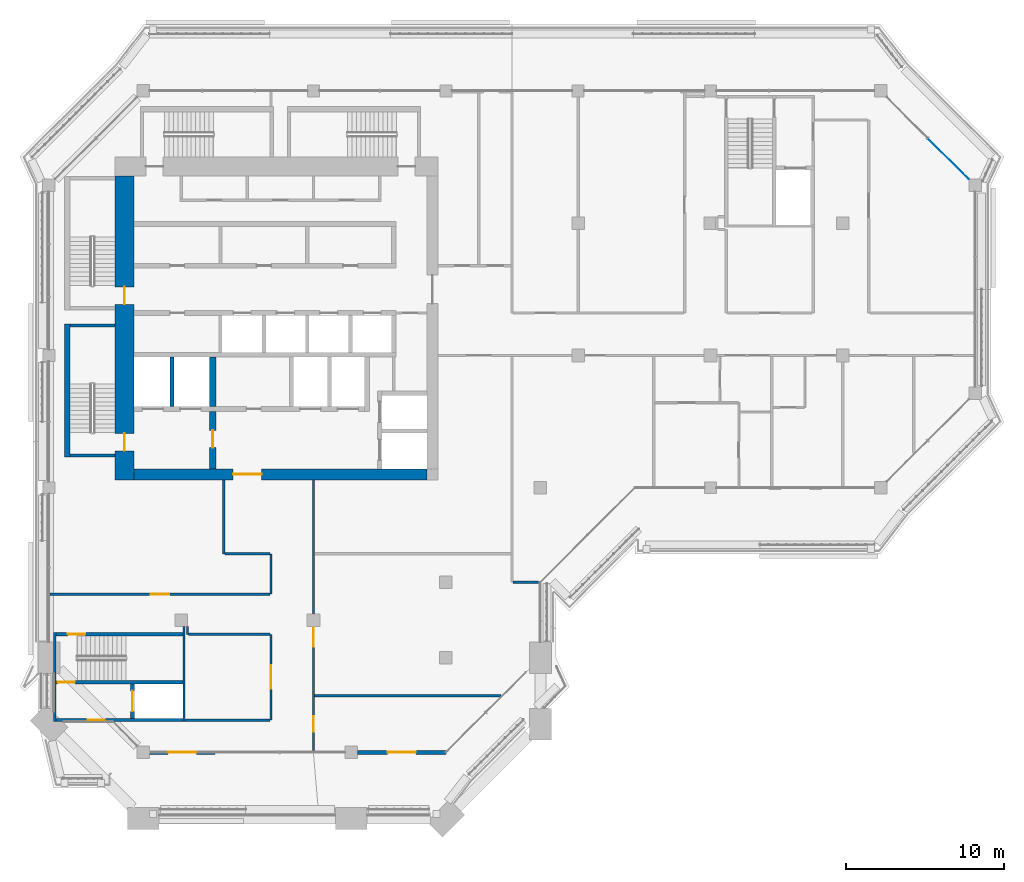
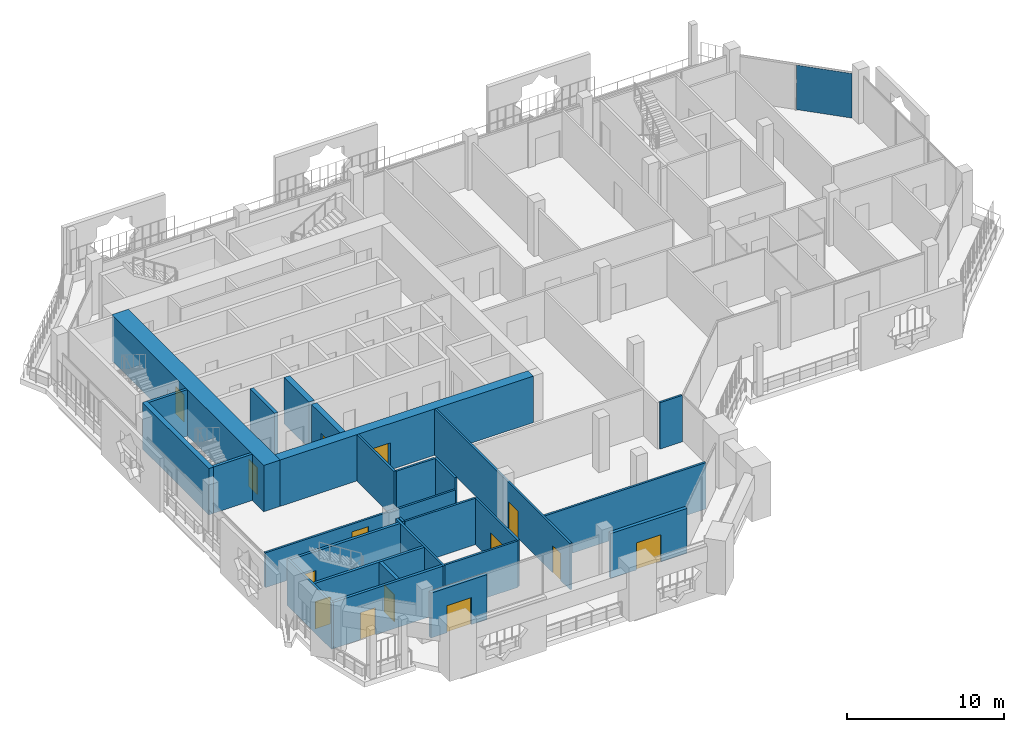
# One storey, part 10 of 22: 27 walls, 14 doors, 1 plate, 14 openings, 1 element without a shape of its own.
"""IFC4 building model written with IfcOpenShell, lengths in metres."""

from ifc_helpers import new_model, si_unit, direction, frame, frame_2d, origin, origin_2d, place, context, subcontext, project, spatial, rectangle, extrude, material, layer, layer_set, type_object, element, fill, aggregate, save


model = new_model("IFC4")

# Units and contexts
model_context = context("Model", 3, precision=1e-05, world=origin(), true_north=direction((0.0, 1.0)))
body_context = subcontext(model_context, "Body", "Model", "MODEL_VIEW")
ifc_project = project(units=[si_unit("LENGTHUNIT", "METRE"), si_unit("AREAUNIT", "SQUARE_METRE"), si_unit("VOLUMEUNIT", "CUBIC_METRE"), si_unit("PLANEANGLEUNIT", "RADIAN"), si_unit("MASSUNIT", "GRAM", prefix="KILO")], contexts=[model_context])

# Site, building, storey
site_placement = place(None, origin())
site = spatial("IfcSite", under=ifc_project, at=site_placement, CompositionType="ELEMENT")
building_placement = place(site_placement, origin())
building = spatial("IfcBuilding", under=site, at=building_placement, Name="Kawkab Arch Medical Tower", CompositionType="ELEMENT")
storey_placement = place(building_placement, frame((0.0, 0.0, 294.39990234375)))
storey = spatial("IfcBuildingStorey", under=building, at=storey_placement, Name="L68", CompositionType="ELEMENT", Elevation=294.39990234375)

# Curtain wall, plate
ifc_material_1 = material(Name="Bronze anodised aluminium curtain wall frame", Category="aluminium")
ifc_layer_1 = layer(ifc_material_1, 0.159912109375)
ifc_layer_set_1 = layer_set([ifc_layer_1], Name="Bronze anodised aluminium curtain wall frame")
curtain_wall_type = type_object("IfcCurtainWallType", Name="CW2 chamfer curtain wall", PredefinedType="NOTDEFINED", material=ifc_layer_set_1)
curtain_wall_placement = place(storey_placement, origin())
curtain_wall = element("IfcCurtainWall", 1, at=curtain_wall_placement, inside=storey, type_object=curtain_wall_type, Name="CW2 Chamfer curtain wall R14", PredefinedType="NOTDEFINED")
ifc_material_2 = material(Name="Tinted insulating glass, bronze low-e coating", Category="glass")
ifc_layer_2 = layer(ifc_material_2, 0.031982421875)
ifc_layer_set_2 = layer_set([ifc_layer_2], Name="Tinted insulating glass, bronze low-e coating")
plate_type = type_object("IfcPlateType", Name="CW2 glazing unit 32", PredefinedType="CURTAIN_PANEL", material=ifc_layer_set_2)
plate_placement = place(storey_placement, frame((57.110595703125, -4.310546875, 0.0), z_axis=(0.0, 0.0, 1.0), x_axis=(-0.707106781187, 0.707106781187, 0.0)))
plate = element("IfcPlate", 2, at=plate_placement, type_object=plate_type, Name="CW2 glazing unit 1.1", PredefinedType="CURTAIN_PANEL", context=body_context, shape_type="SweptSolid", body=[
    extrude(rectangle(XDim=3.64697265625, YDim=0.031982421875, at=origin_2d()), origin(), (0.0, 0.0, 1.0), 3.4599609375),
])
aggregate(curtain_wall, [plate])

# Wall, openings, doors
ifc_material_3 = material(Name="Concrete C50/60", Category="concrete")
ifc_layer_3 = layer(ifc_material_3, 1.199951171875)
ifc_layer_set_3 = layer_set([ifc_layer_3], Name="Concrete C50/60")
wall_type_1 = type_object("IfcWallType", Name="Core ring wall 1200 C50/60", PredefinedType="SHEAR", material=ifc_layer_set_3)
wall_1_placement = place(storey_placement, frame((4.800048828125, -24.699951171875, 0.0), z_axis=(0.0, 0.0, 1.0), x_axis=(0.0, 1.0, 0.0)))
wall_1 = element("IfcWall", 3, at=wall_1_placement, inside=storey, type_object=wall_type_1, Name="L68 core wall", PredefinedType="SHEAR", context=body_context, shape_type="SweptSolid", body=[
    extrude(rectangle(XDim=19.300048828125, YDim=1.199951171875, at=frame_2d((9.64990234375, 0.0))), origin(), (0.0, 0.0, 1.0), 3.60009765625),
])
opening_1_placement = place(wall_1_placement, frame((11.14990234375, 0.0, 0.0)))
opening_1 = element("IfcOpeningElement", 4, at=opening_1_placement, cuts=wall_1, Name="Opening SD", PredefinedType="OPENING", context=body_context, shape_type="SweptSolid", body=[
    extrude(rectangle(XDim=1.10009765625, YDim=2.10009765625, at=frame_2d((0.550048828125, 1.050048828125))), frame((0.0, 0.60986328125, 0.0), z_axis=(0.0, -1.0, 0.0), x_axis=(1.0, 0.0, 0.0)), (0.0, 0.0, 1.0), 1.219970703125),
])
opening_2_placement = place(wall_1_placement, frame((1.85009765625, 0.0, 0.0)))
opening_2 = element("IfcOpeningElement", 5, at=opening_2_placement, cuts=wall_1, Name="Opening SD", PredefinedType="OPENING", context=body_context, shape_type="SweptSolid", body=[
    extrude(rectangle(XDim=1.10009765625, YDim=2.10009765625, at=frame_2d((0.550048828125, 1.050048828125))), frame((0.0, 0.60986328125, 0.0), z_axis=(0.0, -1.0, 0.0), x_axis=(1.0, 0.0, 0.0)), (0.0, 0.0, 1.0), 1.219970703125),
])
ifc_material_4 = material(Name="Hollow metal fire door leaf")
door_type_1 = type_object("IfcDoorType", Name="Exit stair door 1100", OperationType="SINGLE_SWING_LEFT", PredefinedType="DOOR", material=ifc_material_4)
door_1_placement = place(opening_1_placement, origin())
door_1 = element("IfcDoor", 6, at=door_1_placement, inside=storey, type_object=door_type_1, Name="L68 Exit stair ST1 door", OperationType="SINGLE_SWING_LEFT", OverallHeight=2.10009765625, OverallWidth=1.10009765625, PredefinedType="DOOR", context=body_context, shape_type="SweptSolid", body=[
    extrude(rectangle(XDim=1.10009765625, YDim=2.10009765625, at=frame_2d((0.550048828125, 1.050048828125))), frame((0.0, 0.02490234375, 0.0), z_axis=(0.0, -1.0, 0.0), x_axis=(1.0, 0.0, 0.0)), (0.0, 0.0, 1.0), 0.050048828125),
])
fill(opening_1, door_1)
door_2_placement = place(opening_2_placement, origin())
door_2 = element("IfcDoor", 7, at=door_2_placement, inside=storey, type_object=door_type_1, Name="L68 Exit stair ST2 door", OperationType="SINGLE_SWING_LEFT", OverallHeight=2.10009765625, OverallWidth=1.10009765625, PredefinedType="DOOR", context=body_context, shape_type="SweptSolid", body=[
    extrude(rectangle(XDim=1.10009765625, YDim=2.10009765625, at=frame_2d((0.550048828125, 1.050048828125))), frame((0.0, 0.02490234375, 0.0), z_axis=(0.0, -1.0, 0.0), x_axis=(1.0, 0.0, 0.0)), (0.0, 0.0, 1.0), 0.050048828125),
])
fill(opening_2, door_2)

# Wall, opening, door
ifc_material_5 = material(Name="Concrete C50/60", Category="concrete")
ifc_layer_4 = layer(ifc_material_5, 0.699951171875)
ifc_layer_set_4 = layer_set([ifc_layer_4], Name="Concrete C50/60")
wall_type_2 = type_object("IfcWallType", Name="Core ring wall 700 C50/60", PredefinedType="SHEAR", material=ifc_layer_set_4)
wall_2_placement = place(storey_placement, frame((5.39990234375, -24.35009765625, 0.0), z_axis=(0.0, 0.0, 1.0), x_axis=(1.0, 0.0, 0.0)))
wall_2 = element("IfcWall", 8, at=wall_2_placement, inside=storey, type_object=wall_type_2, Name="L68 core wall", PredefinedType="SHEAR", context=body_context, shape_type="SweptSolid", body=[
    extrude(rectangle(XDim=18.60009765625, YDim=0.699951171875, at=frame_2d((9.300048828125, 0.0))), origin(), (0.0, 0.0, 1.0), 3.60009765625),
])
opening_3_placement = place(wall_2_placement, frame((6.300048828125, 0.0, 0.0)))
opening_3 = element("IfcOpeningElement", 9, at=opening_3_placement, cuts=wall_2, Name="Opening PD", PredefinedType="OPENING", context=body_context, shape_type="SweptSolid", body=[
    extrude(rectangle(XDim=1.800048828125, YDim=2.10009765625, at=frame_2d((0.89990234375, 1.050048828125))), frame((0.0, 0.35986328125, 0.0), z_axis=(0.0, -1.0, 0.0), x_axis=(1.0, 0.0, 0.0)), (0.0, 0.0, 1.0), 0.719970703125),
])
ifc_material_6 = material(Name="Hollow metal fire door leaf")
door_type_2 = type_object("IfcDoorType", Name="Core entrance doors 1800", OperationType="DOUBLE_DOOR_SINGLE_SWING", PredefinedType="DOOR", material=ifc_material_6)
door_3_placement = place(opening_3_placement, origin())
door_3 = element("IfcDoor", 10, at=door_3_placement, inside=storey, type_object=door_type_2, Name="L68 South entrance doors", OperationType="DOUBLE_DOOR_SINGLE_SWING", OverallHeight=2.10009765625, OverallWidth=1.800048828125, PredefinedType="DOOR", context=body_context, shape_type="SweptSolid", body=[
    extrude(rectangle(XDim=1.800048828125, YDim=2.10009765625, at=frame_2d((0.89990234375, 1.050048828125))), frame((0.0, 0.02490234375, 0.0), z_axis=(0.0, -1.0, 0.0), x_axis=(1.0, 0.0, 0.0)), (0.0, 0.0, 1.0), 0.050048828125),
])
fill(opening_3, door_3)

# Wall
ifc_material_7 = material(Name="Concrete C60/75", Category="concrete")
ifc_layer_5 = layer(ifc_material_7, 0.25)
ifc_layer_set_5 = layer_set([ifc_layer_5], Name="Concrete C60/75")
wall_type_3 = type_object("IfcWallType", Name="Core shear wall 250 C60/75", PredefinedType="SHEAR", material=ifc_layer_set_5)
wall_3_placement = place(storey_placement, frame((7.800048828125, -20.050048828125, 0.0), z_axis=(0.0, 0.0, 1.0), x_axis=(0.0, 1.0, 0.0)))
element("IfcWall", 11, at=wall_3_placement, inside=storey, type_object=wall_type_3, Name="L68 core shear wall", PredefinedType="SHEAR", context=body_context, shape_type="SweptSolid", body=[
    extrude(rectangle(XDim=3.150146484375, YDim=0.25, at=frame_2d((1.5751953125, 0.0))), origin(), (0.0, 0.0, 1.0), 3.60009765625),
])

# Wall, opening, door
wall_4_placement = place(storey_placement, frame((5.300048828125, -39.85009765625, 0.0), z_axis=(0.0, 0.0, 1.0), x_axis=(0.0, 1.0, 0.0)))
wall_4 = element("IfcWall", 12, at=wall_4_placement, inside=storey, type_object=wall_type_3, Name="L68 core shear wall", PredefinedType="SHEAR", context=body_context, shape_type="SweptSolid", body=[
    extrude(rectangle(XDim=2.2001953125, YDim=0.25, at=frame_2d((1.10009765625, 0.0))), origin(), (0.0, 0.0, 1.0), 3.60009765625),
])
opening_4_placement = place(wall_4_placement, frame((0.449951171875, 0.0, 0.0)))
opening_4 = element("IfcOpeningElement", 13, at=opening_4_placement, cuts=wall_4, Name="Opening LD2", PredefinedType="OPENING", context=body_context, shape_type="SweptSolid", body=[
    extrude(rectangle(XDim=1.300048828125, YDim=2.10009765625, at=frame_2d((0.64990234375, 1.050048828125))), frame((0.0, 0.135009765625, 0.0), z_axis=(0.0, -1.0, 0.0), x_axis=(1.0, 0.0, 0.0)), (0.0, 0.0, 1.0), 0.27001953125),
])
ifc_material_8 = material(Name="Stainless steel lift door leaf", Category="steel")
door_type_3 = type_object("IfcDoorType", Name="Lift landing door 1300", OperationType="DOUBLE_DOOR_SLIDING", PredefinedType="DOOR", material=ifc_material_8)
door_4_placement = place(opening_4_placement, origin())
door_4 = element("IfcDoor", 14, at=door_4_placement, inside=storey, type_object=door_type_3, Name="L68 Lift landing door SV2", OperationType="DOUBLE_DOOR_SLIDING", OverallHeight=2.10009765625, OverallWidth=1.300048828125, PredefinedType="DOOR", context=body_context, shape_type="SweptSolid", body=[
    extrude(rectangle(XDim=1.300048828125, YDim=2.10009765625, at=frame_2d((0.64990234375, 1.050048828125))), frame((0.0, 0.02490234375, 0.0), z_axis=(0.0, -1.0, 0.0), x_axis=(1.0, 0.0, 0.0)), (0.0, 0.0, 1.0), 0.050048828125),
])
fill(opening_4, door_4)

ifc_material_9 = material(Name="Concrete C60/75", Category="concrete")
ifc_layer_6 = layer(ifc_material_9, 0.39990234375)
ifc_layer_set_6 = layer_set([ifc_layer_6], Name="Concrete C60/75")
wall_type_4 = type_object("IfcWallType", Name="Core shear wall 400 C60/75", PredefinedType="SHEAR", material=ifc_layer_set_6)
wall_5_placement = place(storey_placement, frame((10.39990234375, -24.0, 0.0), z_axis=(0.0, 0.0, 1.0), x_axis=(0.0, 1.0, 0.0)))
wall_5 = element("IfcWall", 15, at=wall_5_placement, inside=storey, type_object=wall_type_4, Name="L68 core shear wall", PredefinedType="SHEAR", context=body_context, shape_type="SweptSolid", body=[
    extrude(rectangle(XDim=3.64990234375, YDim=0.39990234375, at=frame_2d((1.824951171875, 0.0))), origin(), (0.0, 0.0, 1.0), 3.60009765625),
])
opening_5_placement = place(wall_5_placement, frame((1.35009765625, 0.0, 0.0)))
opening_5 = element("IfcOpeningElement", 16, at=opening_5_placement, cuts=wall_5, Name="Opening FD", PredefinedType="OPENING", context=body_context, shape_type="SweptSolid", body=[
    extrude(rectangle(XDim=1.10009765625, YDim=2.10009765625, at=frame_2d((0.550048828125, 1.050048828125))), frame((0.0, 0.2099609375, 0.0), z_axis=(0.0, -1.0, 0.0), x_axis=(1.0, 0.0, 0.0)), (0.0, 0.0, 1.0), 0.419921875),
])
ifc_material_10 = material(Name="Hollow metal fire door leaf")
door_type_4 = type_object("IfcDoorType", Name="Firefighting lobby door 1100", OperationType="SINGLE_SWING_LEFT", PredefinedType="DOOR", material=ifc_material_10)
door_5_placement = place(opening_5_placement, origin())
door_5 = element("IfcDoor", 17, at=door_5_placement, inside=storey, type_object=door_type_4, Name="L68 Firefighting lobby door", OperationType="SINGLE_SWING_LEFT", OverallHeight=2.10009765625, OverallWidth=1.10009765625, PredefinedType="DOOR", context=body_context, shape_type="SweptSolid", body=[
    extrude(rectangle(XDim=1.10009765625, YDim=2.10009765625, at=frame_2d((0.550048828125, 1.050048828125))), frame((0.0, 0.02490234375, 0.0), z_axis=(0.0, -1.0, 0.0), x_axis=(1.0, 0.0, 0.0)), (0.0, 0.0, 1.0), 0.050048828125),
])
fill(opening_5, door_5)

# Wall
wall_6_placement = place(storey_placement, frame((10.39990234375, -20.050048828125, 0.0), z_axis=(0.0, 0.0, 1.0), x_axis=(0.0, 1.0, 0.0)))
element("IfcWall", 18, at=wall_6_placement, inside=storey, type_object=wall_type_4, Name="L68 core shear wall", PredefinedType="SHEAR", context=body_context, shape_type="SweptSolid", body=[
    extrude(rectangle(XDim=3.150146484375, YDim=0.39990234375, at=frame_2d((1.5751953125, 0.0))), origin(), (0.0, 0.0, 1.0), 3.60009765625),
])

# Wall, opening, door
ifc_material_11 = material(Name="Bronze clad insulated wall panel")
ifc_layer_7 = layer(ifc_material_11, 0.25)
ifc_layer_set_7 = layer_set([ifc_layer_7], Name="Bronze clad insulated wall panel")
wall_type_5 = type_object("IfcWallType", Name="External wall bay 250", PredefinedType="SOLIDWALL", material=ifc_layer_set_7)
wall_7_placement = place(storey_placement, frame((6.39990234375, -42.0, 0.0), z_axis=(0.0, 0.0, 1.0), x_axis=(1.0, 0.0, 0.0)))
wall_7 = element("IfcWall", 19, at=wall_7_placement, inside=storey, type_object=wall_type_5, Name="External wall bay L68.R07.1.1", PredefinedType="SOLIDWALL", context=body_context, shape_type="SweptSolid", body=[
    extrude(rectangle(XDim=4.133544921875, YDim=0.25, at=frame_2d((2.06689453125, 0.0))), origin(), (0.0, 0.0, 1.0), 3.47998046875),
])
opening_6_placement = place(wall_7_placement, frame((1.166748046875, 0.0, 0.0)))
opening_6 = element("IfcOpeningElement", 20, at=opening_6_placement, cuts=wall_7, Name="Opening W68-701", PredefinedType="OPENING", context=body_context, shape_type="SweptSolid", body=[
    extrude(rectangle(XDim=1.800048828125, YDim=2.10009765625, at=frame_2d((0.89990234375, 1.050048828125))), frame((0.0, 0.135009765625, 0.0), z_axis=(0.0, -1.0, 0.0), x_axis=(1.0, 0.0, 0.0)), (0.0, 0.0, 1.0), 0.27001953125),
])
ifc_material_12 = material(Name="Bronze anodised aluminium door with tinted glass", Category="aluminium")
door_type_5 = type_object("IfcDoorType", Name="Double external door 1800 x 2100", OperationType="DOUBLE_DOOR_SINGLE_SWING", PredefinedType="DOOR", material=ifc_material_12)
door_6_placement = place(opening_6_placement, origin())
door_6 = element("IfcDoor", 21, at=door_6_placement, inside=storey, type_object=door_type_5, Name="External door L68.R07.1.1", OperationType="DOUBLE_DOOR_SINGLE_SWING", OverallHeight=2.10009765625, OverallWidth=1.800048828125, PredefinedType="DOOR", context=body_context, shape_type="SweptSolid", body=[
    extrude(rectangle(XDim=1.800048828125, YDim=2.10009765625, at=frame_2d((0.89990234375, 1.050048828125))), frame((0.0, 0.02490234375, 0.0), z_axis=(0.0, -1.0, 0.0), x_axis=(1.0, 0.0, 0.0)), (0.0, 0.0, 1.0), 0.050048828125),
])
fill(opening_6, door_6)

wall_8_placement = place(storey_placement, frame((19.60009765625, -42.0, 0.0), z_axis=(0.0, 0.0, 1.0), x_axis=(1.0, 0.0, 0.0)))
wall_8 = element("IfcWall", 22, at=wall_8_placement, inside=storey, type_object=wall_type_5, Name="External wall bay L68.R07.2.1", PredefinedType="SOLIDWALL", context=body_context, shape_type="SweptSolid", body=[
    extrude(rectangle(XDim=5.599853515625, YDim=0.25, at=frame_2d((2.7998046875, 0.0))), origin(), (0.0, 0.0, 1.0), 3.47998046875),
])
opening_7_placement = place(wall_8_placement, frame((1.89990234375, 0.0, 0.0)))
opening_7 = element("IfcOpeningElement", 23, at=opening_7_placement, cuts=wall_8, Name="Opening W68-701", PredefinedType="OPENING", context=body_context, shape_type="SweptSolid", body=[
    extrude(rectangle(XDim=1.800048828125, YDim=2.10009765625, at=frame_2d((0.89990234375, 1.050048828125))), frame((0.0, 0.135009765625, 0.0), z_axis=(0.0, -1.0, 0.0), x_axis=(1.0, 0.0, 0.0)), (0.0, 0.0, 1.0), 0.27001953125),
])
door_7_placement = place(opening_7_placement, origin())
door_7 = element("IfcDoor", 24, at=door_7_placement, inside=storey, type_object=door_type_5, Name="External door L68.R07.2.1", OperationType="DOUBLE_DOOR_SINGLE_SWING", OverallHeight=2.10009765625, OverallWidth=1.800048828125, PredefinedType="DOOR", context=body_context, shape_type="SweptSolid", body=[
    extrude(rectangle(XDim=1.800048828125, YDim=2.10009765625, at=frame_2d((0.89990234375, 1.050048828125))), frame((0.0, 0.02490234375, 0.0), z_axis=(0.0, -1.0, 0.0), x_axis=(1.0, 0.0, 0.0)), (0.0, 0.0, 1.0), 0.050048828125),
])
fill(opening_7, door_7)

# Walls
ifc_material_13 = material(Name="Gypsum board partition on steel studs, mineral wool", Category="steel")
ifc_layer_8 = layer(ifc_material_13, 0.14990234375)
ifc_layer_set_8 = layer_set([ifc_layer_8], Name="Gypsum board partition on steel studs, mineral wool")
wall_type_6 = type_object("IfcWallType", Name="Partition 150", PredefinedType="PARTITIONING", material=ifc_layer_set_8)
wall_9_placement = place(storey_placement, frame((8.64990234375, -39.949951171875, 0.0), z_axis=(0.0, 0.0, 1.0), x_axis=(1.0, 0.0, 0.0)))
element("IfcWall", 25, at=wall_9_placement, inside=storey, type_object=wall_type_6, Name="Partition 150 w007", PredefinedType="PARTITIONING", context=body_context, shape_type="SweptSolid", body=[
    extrude(rectangle(XDim=5.375, YDim=0.14990234375, at=frame_2d((2.6875, 0.0))), origin(), (0.0, 0.0, 1.0), 3.60009765625),
])
wall_10_placement = place(storey_placement, frame((16.875, -38.39990234375, 0.0), z_axis=(0.0, 0.0, 1.0), x_axis=(1.0, 0.0, 0.0)))
element("IfcWall", 26, at=wall_10_placement, inside=storey, type_object=wall_type_6, Name="Partition 150 w008", PredefinedType="PARTITIONING", context=body_context, shape_type="SweptSolid", body=[
    extrude(rectangle(XDim=11.81201171875, YDim=0.14990234375, at=frame_2d((5.906005859375, 0.0))), origin(), (0.0, 0.0, 1.0), 3.60009765625),
])
wall_11_placement = place(storey_placement, frame((8.875, -34.5, 0.0), z_axis=(0.0, 0.0, 1.0), x_axis=(1.0, 0.0, 0.0)))
element("IfcWall", 27, at=wall_11_placement, inside=storey, type_object=wall_type_6, Name="Partition 150 w009", PredefinedType="PARTITIONING", context=body_context, shape_type="SweptSolid", body=[
    extrude(rectangle(XDim=5.14990234375, YDim=0.14990234375, at=frame_2d((2.574951171875, 0.0))), origin(), (0.0, 0.0, 1.0), 3.60009765625),
])

# Wall, opening, door
wall_12_placement = place(storey_placement, frame((0.080078125, -31.95703125, 0.0), z_axis=(0.0, 0.0, 1.0), x_axis=(1.0, 0.0, 0.0)))
wall_12 = element("IfcWall", 28, at=wall_12_placement, inside=storey, type_object=wall_type_6, Name="Partition 150 w010", PredefinedType="PARTITIONING", context=body_context, shape_type="SweptSolid", body=[
    extrude(rectangle(XDim=13.94482421875, YDim=0.14990234375, at=frame_2d((6.972412109375, 0.0))), origin(), (0.0, 0.0, 1.0), 2.7001953125),
])
opening_8_placement = place(wall_12_placement, frame((6.3701171875, 0.0, 0.0)))
opening_8 = element("IfcOpeningElement", 29, at=opening_8_placement, cuts=wall_12, Name="Opening W68-019", PredefinedType="OPENING", context=body_context, shape_type="SweptSolid", body=[
    extrude(rectangle(XDim=1.199951171875, YDim=2.10009765625, at=frame_2d((0.60009765625, 1.050048828125))), frame((0.0, 0.0849609375, 0.0), z_axis=(0.0, -1.0, 0.0), x_axis=(1.0, 0.0, 0.0)), (0.0, 0.0, 1.0), 0.169921875),
])
ifc_material_14 = material(Name="Hollow metal door leaf")
door_type_6 = type_object("IfcDoorType", Name="Single door 1200x2100 FD30S", OperationType="NOTDEFINED", PredefinedType="DOOR", material=ifc_material_14)
door_8_placement = place(opening_8_placement, origin())
door_8 = element("IfcDoor", 30, at=door_8_placement, inside=storey, type_object=door_type_6, Name="Door W68-019", OperationType="SINGLE_SWING_RIGHT", OverallHeight=2.10009765625, OverallWidth=1.199951171875, PredefinedType="DOOR", context=body_context, shape_type="SweptSolid", body=[
    extrude(rectangle(XDim=1.199951171875, YDim=2.10009765625, at=frame_2d((0.60009765625, 1.050048828125))), frame((0.0, 0.02490234375, 0.0), z_axis=(0.0, -1.0, 0.0), x_axis=(1.0, 0.0, 0.0)), (0.0, 0.0, 1.0), 0.050048828125),
])
fill(opening_8, door_8)

# Walls
wall_13_placement = place(storey_placement, frame((29.47705078125, -31.199951171875, 0.0), z_axis=(0.0, 0.0, 1.0), x_axis=(1.0, 0.0, 0.0)))
element("IfcWall", 31, at=wall_13_placement, inside=storey, type_object=wall_type_6, Name="Partition 150 w011", PredefinedType="PARTITIONING", context=body_context, shape_type="SweptSolid", body=[
    extrude(rectangle(XDim=1.64306640625, YDim=0.14990234375, at=frame_2d((0.821533203125, 0.0))), origin(), (0.0, 0.0, 1.0), 3.60009765625),
])
wall_14_placement = place(storey_placement, frame((11.177001953125, -29.39990234375, 0.0), z_axis=(0.0, 0.0, 1.0), x_axis=(1.0, 0.0, 0.0)))
element("IfcWall", 32, at=wall_14_placement, inside=storey, type_object=wall_type_6, Name="Partition 150 w012", PredefinedType="PARTITIONING", context=body_context, shape_type="SweptSolid", body=[
    extrude(rectangle(XDim=2.847900390625, YDim=0.14990234375, at=frame_2d((1.423828125, 0.0))), origin(), (0.0, 0.0, 1.0), 3.60009765625),
])
wall_15_placement = place(storey_placement, frame((8.800048828125, -34.5, 0.0), z_axis=(0.0, 0.0, 1.0), x_axis=(0.0, 1.0, 0.0)))
element("IfcWall", 33, at=wall_15_placement, inside=storey, type_object=wall_type_6, Name="Partition 150 w025", PredefinedType="PARTITIONING", context=body_context, shape_type="SweptSolid", body=[
    extrude(rectangle(XDim=0.4990234375, YDim=0.14990234375, at=frame_2d((0.24951171875, 0.0))), origin(), (0.0, 0.0, 1.0), 3.60009765625),
])
wall_16_placement = place(storey_placement, frame((11.10009765625, -29.39892578125, 0.0), z_axis=(0.0, 0.0, 1.0), x_axis=(0.0, 1.0, 0.0)))
element("IfcWall", 34, at=wall_16_placement, inside=storey, type_object=wall_type_6, Name="Partition 150 w026", PredefinedType="PARTITIONING", context=body_context, shape_type="SweptSolid", body=[
    extrude(rectangle(XDim=4.698974609375, YDim=0.14990234375, at=frame_2d((2.349609375, 0.0))), origin(), (0.0, 0.0, 1.0), 3.60009765625),
])

# Wall, opening, door
wall_17_placement = place(storey_placement, frame((14.10009765625, -39.949951171875, 0.0), z_axis=(0.0, 0.0, 1.0), x_axis=(0.0, 1.0, 0.0)))
wall_17 = element("IfcWall", 35, at=wall_17_placement, inside=storey, type_object=wall_type_6, Name="Partition 150 w027", PredefinedType="PARTITIONING", context=body_context, shape_type="SweptSolid", body=[
    extrude(rectangle(XDim=5.449951171875, YDim=0.14990234375, at=frame_2d((2.72509765625, 0.0))), origin(), (0.0, 0.0, 1.0), 3.60009765625),
])
opening_9_placement = place(wall_17_placement, frame((1.97509765625, 0.0, 0.0)))
opening_9 = element("IfcOpeningElement", 36, at=opening_9_placement, cuts=wall_17, Name="Opening W68-003", PredefinedType="OPENING", context=body_context, shape_type="SweptSolid", body=[
    extrude(rectangle(XDim=1.5, YDim=2.10009765625, at=frame_2d((0.75, 1.050048828125))), frame((0.0, 0.0849609375, 0.0), z_axis=(0.0, -1.0, 0.0), x_axis=(1.0, 0.0, 0.0)), (0.0, 0.0, 1.0), 0.169921875),
])
ifc_material_15 = material(Name="Hollow metal door leaf")
door_type_7 = type_object("IfcDoorType", Name="Double door 1500x2100 FD30S", OperationType="NOTDEFINED", PredefinedType="DOOR", material=ifc_material_15)
door_9_placement = place(opening_9_placement, origin())
door_9 = element("IfcDoor", 37, at=door_9_placement, inside=storey, type_object=door_type_7, Name="Door W68-003", OperationType="DOUBLE_DOOR_SINGLE_SWING", OverallHeight=2.10009765625, OverallWidth=1.5, PredefinedType="DOOR", context=body_context, shape_type="SweptSolid", body=[
    extrude(rectangle(XDim=1.5, YDim=2.10009765625, at=frame_2d((0.75, 1.050048828125))), frame((0.0, 0.02490234375, 0.0), z_axis=(0.0, -1.0, 0.0), x_axis=(1.0, 0.0, 0.0)), (0.0, 0.0, 1.0), 0.050048828125),
])
fill(opening_9, door_9)

# Wall
wall_18_placement = place(storey_placement, frame((14.10009765625, -31.95703125, 0.0), z_axis=(0.0, 0.0, 1.0), x_axis=(0.0, 1.0, 0.0)))
element("IfcWall", 38, at=wall_18_placement, inside=storey, type_object=wall_type_6, Name="Partition 150 w028", PredefinedType="PARTITIONING", context=body_context, shape_type="SweptSolid", body=[
    extrude(rectangle(XDim=2.55712890625, YDim=0.14990234375, at=frame_2d((1.278564453125, 0.0))), origin(), (0.0, 0.0, 1.0), 3.60009765625),
])

# Wall, openings, doors
wall_19_placement = place(storey_placement, frame((16.800048828125, -41.919921875, 0.0), z_axis=(0.0, 0.0, 1.0), x_axis=(0.0, 1.0, 0.0)))
wall_19 = element("IfcWall", 39, at=wall_19_placement, inside=storey, type_object=wall_type_6, Name="Partition 150 w030", PredefinedType="PARTITIONING", context=body_context, shape_type="SweptSolid", body=[
    extrude(rectangle(XDim=17.219970703125, YDim=0.14990234375, at=frame_2d((8.60986328125, 0.0))), origin(), (0.0, 0.0, 1.0), 3.60009765625),
])
opening_10_placement = place(wall_19_placement, frame((6.6201171875, 0.0, 0.0)))
opening_10 = element("IfcOpeningElement", 40, at=opening_10_placement, cuts=wall_19, Name="Opening W68-020", PredefinedType="OPENING", context=body_context, shape_type="SweptSolid", body=[
    extrude(rectangle(XDim=1.199951171875, YDim=2.10009765625, at=frame_2d((0.60009765625, 1.050048828125))), frame((0.0, 0.0849609375, 0.0), z_axis=(0.0, -1.0, 0.0), x_axis=(1.0, 0.0, 0.0)), (0.0, 0.0, 1.0), 0.169921875),
])
opening_11_placement = place(wall_19_placement, frame((1.219970703125, 0.0, 0.0)))
opening_11 = element("IfcOpeningElement", 41, at=opening_11_placement, cuts=wall_19, Name="Opening W68-013", PredefinedType="OPENING", context=body_context, shape_type="SweptSolid", body=[
    extrude(rectangle(XDim=1.0, YDim=2.10009765625, at=frame_2d((0.5, 1.050048828125))), frame((0.0, 0.0849609375, 0.0), z_axis=(0.0, -1.0, 0.0), x_axis=(1.0, 0.0, 0.0)), (0.0, 0.0, 1.0), 0.169921875),
])
ifc_material_16 = material(Name="Hollow metal door leaf")
door_type_8 = type_object("IfcDoorType", Name="Single door 1000x2100 FD30S", OperationType="NOTDEFINED", PredefinedType="DOOR", material=ifc_material_16)
door_10_placement = place(opening_11_placement, origin())
door_10 = element("IfcDoor", 42, at=door_10_placement, inside=storey, type_object=door_type_8, Name="Door W68-013", OperationType="SINGLE_SWING_RIGHT", OverallHeight=2.10009765625, OverallWidth=1.0, PredefinedType="DOOR", context=body_context, shape_type="SweptSolid", body=[
    extrude(rectangle(XDim=1.0, YDim=2.10009765625, at=frame_2d((0.5, 1.050048828125))), frame((0.0, 0.02490234375, 0.0), z_axis=(0.0, -1.0, 0.0), x_axis=(1.0, 0.0, 0.0)), (0.0, 0.0, 1.0), 0.050048828125),
])
fill(opening_11, door_10)
door_11_placement = place(opening_10_placement, origin())
door_11 = element("IfcDoor", 43, at=door_11_placement, inside=storey, type_object=door_type_6, Name="Door W68-020", OperationType="SINGLE_SWING_RIGHT", OverallHeight=2.10009765625, OverallWidth=1.199951171875, PredefinedType="DOOR", context=body_context, shape_type="SweptSolid", body=[
    extrude(rectangle(XDim=1.199951171875, YDim=2.10009765625, at=frame_2d((0.60009765625, 1.050048828125))), frame((0.0, 0.02490234375, 0.0), z_axis=(0.0, -1.0, 0.0), x_axis=(1.0, 0.0, 0.0)), (0.0, 0.0, 1.0), 0.050048828125),
])
fill(opening_10, door_11)

# Walls
ifc_material_17 = material(Name="Concrete C50/60", Category="concrete")
ifc_layer_9 = layer(ifc_material_17, 0.14990234375)
ifc_layer_set_9 = layer_set([ifc_layer_9], Name="Concrete C50/60")
wall_type_7 = type_object("IfcWallType", Name="Stair enclosure wall 150 C50/60", PredefinedType="SHEAR", material=ifc_layer_set_9)
wall_20_placement = place(storey_placement, frame((0.375, -40.050048828125, 0.0), z_axis=(0.0, 0.0, 1.0), x_axis=(0.0, 1.0, 0.0)))
element("IfcWall", 44, at=wall_20_placement, inside=storey, type_object=wall_type_7, Name="L68 stair enclosure wall", PredefinedType="SHEAR", context=body_context, shape_type="SweptSolid", body=[
    extrude(rectangle(XDim=5.650146484375, YDim=0.14990234375, at=frame_2d((2.8251953125, 0.0))), origin(), (0.0, 0.0, 1.0), 3.60009765625),
])
wall_21_placement = place(storey_placement, frame((8.574951171875, -40.050048828125, 0.0), z_axis=(0.0, 0.0, 1.0), x_axis=(0.0, 1.0, 0.0)))
element("IfcWall", 45, at=wall_21_placement, inside=storey, type_object=wall_type_7, Name="L68 stair enclosure wall", PredefinedType="SHEAR", context=body_context, shape_type="SweptSolid", body=[
    extrude(rectangle(XDim=6.050048828125, YDim=0.14990234375, at=frame_2d((3.02490234375, 0.0))), origin(), (0.0, 0.0, 1.0), 3.60009765625),
])
ifc_material_18 = material(Name="Concrete C50/60", Category="concrete")
ifc_layer_10 = layer(ifc_material_18, 0.199951171875)
ifc_layer_set_10 = layer_set([ifc_layer_10], Name="Concrete C50/60")
wall_type_8 = type_object("IfcWallType", Name="Stair enclosure wall 200 C50/60", PredefinedType="SHEAR", material=ifc_layer_set_10)
for number, where, z_axis, x_axis, name in (
    (46, (1.35009765625, -14.89990234375, 0.0), (0.0, 0.0, 1.0), (1.0, 0.0, 0.0), "L68 stair enclosure wall"),
    (47, (1.35009765625, -23.14990234375, 0.0), (0.0, 0.0, 1.0), (1.0, 0.0, 0.0), "L68 stair enclosure wall"),
):
    element("IfcWall", number, at=place(storey_placement, frame(where, z_axis=z_axis, x_axis=x_axis)), inside=storey, type_object=wall_type_8, Name=name, PredefinedType="SHEAR", context=body_context, shape_type="SweptSolid", body=[
        extrude(rectangle(XDim=2.849853515625, YDim=0.199951171875, at=frame_2d((1.4248046875, 0.0))), origin(), (0.0, 0.0, 1.0), 3.60009765625),
    ])

# Wall, opening, door
wall_22_placement = place(storey_placement, frame((0.449951171875, -34.5, 0.0), z_axis=(0.0, 0.0, 1.0), x_axis=(1.0, 0.0, 0.0)))
wall_22 = element("IfcWall", 48, at=wall_22_placement, inside=storey, type_object=wall_type_8, Name="L68 stair enclosure wall", PredefinedType="SHEAR", context=body_context, shape_type="SweptSolid", body=[
    extrude(rectangle(XDim=8.050048828125, YDim=0.199951171875, at=frame_2d((4.02490234375, 0.0))), origin(), (0.0, 0.0, 1.0), 3.60009765625),
])
opening_12_placement = place(wall_22_placement, frame((0.75, 0.0, 0.0)))
opening_12 = element("IfcOpeningElement", 49, at=opening_12_placement, cuts=wall_22, Name="Opening SD", PredefinedType="OPENING", context=body_context, shape_type="SweptSolid", body=[
    extrude(rectangle(XDim=1.10009765625, YDim=2.10009765625, at=frame_2d((0.550048828125, 1.050048828125))), frame((0.0, 0.10986328125, 0.0), z_axis=(0.0, -1.0, 0.0), x_axis=(1.0, 0.0, 0.0)), (0.0, 0.0, 1.0), 0.219970703125),
])
door_12_placement = place(opening_12_placement, origin())
door_12 = element("IfcDoor", 50, at=door_12_placement, inside=storey, type_object=door_type_1, Name="L68 Exit stair ST6 door", OperationType="SINGLE_SWING_LEFT", OverallHeight=2.10009765625, OverallWidth=1.10009765625, PredefinedType="DOOR", context=body_context, shape_type="SweptSolid", body=[
    extrude(rectangle(XDim=1.10009765625, YDim=2.10009765625, at=frame_2d((0.550048828125, 1.050048828125))), frame((0.0, 0.02490234375, 0.0), z_axis=(0.0, -1.0, 0.0), x_axis=(1.0, 0.0, 0.0)), (0.0, 0.0, 1.0), 0.050048828125),
])
fill(opening_12, door_12)

wall_23_placement = place(storey_placement, frame((0.449951171875, -37.550048828125, 0.0), z_axis=(0.0, 0.0, 1.0), x_axis=(1.0, 0.0, 0.0)))
wall_23 = element("IfcWall", 51, at=wall_23_placement, inside=storey, type_object=wall_type_8, Name="L68 stair enclosure wall", PredefinedType="SHEAR", context=body_context, shape_type="SweptSolid", body=[
    extrude(rectangle(XDim=8.050048828125, YDim=0.199951171875, at=frame_2d((4.02490234375, 0.0))), origin(), (0.0, 0.0, 1.0), 3.60009765625),
])
opening_13_placement = place(wall_23_placement, frame((0.10009765625, 0.0, 0.0)))
opening_13 = element("IfcOpeningElement", 52, at=opening_13_placement, cuts=wall_23, Name="Opening SD", PredefinedType="OPENING", context=body_context, shape_type="SweptSolid", body=[
    extrude(rectangle(XDim=1.10009765625, YDim=2.10009765625, at=frame_2d((0.550048828125, 1.050048828125))), frame((0.0, 0.10986328125, 0.0), z_axis=(0.0, -1.0, 0.0), x_axis=(1.0, 0.0, 0.0)), (0.0, 0.0, 1.0), 0.219970703125),
])
door_13_placement = place(opening_13_placement, frame((1.10009765625, 0.0, 0.0), z_axis=(0.0, 0.0, 1.0), x_axis=(-1.0, 0.0, 0.0)))
door_13 = element("IfcDoor", 53, at=door_13_placement, inside=storey, type_object=door_type_1, Name="L68 Exit stair ST6 lobby door", OperationType="SINGLE_SWING_LEFT", OverallHeight=2.10009765625, OverallWidth=1.10009765625, PredefinedType="DOOR", context=body_context, shape_type="SweptSolid", body=[
    extrude(rectangle(XDim=1.10009765625, YDim=2.10009765625, at=frame_2d((0.550048828125, 1.050048828125))), frame((0.0, 0.02490234375, 0.0), z_axis=(0.0, -1.0, 0.0), x_axis=(1.0, 0.0, 0.0)), (0.0, 0.0, 1.0), 0.050048828125),
])
fill(opening_13, door_13)

wall_24_placement = place(storey_placement, frame((0.449951171875, -39.949951171875, 0.0), z_axis=(0.0, 0.0, 1.0), x_axis=(1.0, 0.0, 0.0)))
wall_24 = element("IfcWall", 54, at=wall_24_placement, inside=storey, type_object=wall_type_8, Name="L68 stair enclosure wall", PredefinedType="SHEAR", context=body_context, shape_type="SweptSolid", body=[
    extrude(rectangle(XDim=8.050048828125, YDim=0.199951171875, at=frame_2d((4.02490234375, 0.0))), origin(), (0.0, 0.0, 1.0), 3.60009765625),
])
opening_14_placement = place(wall_24_placement, frame((2.0, 0.0, 0.0)))
opening_14 = element("IfcOpeningElement", 55, at=opening_14_placement, cuts=wall_24, Name="Opening FD", PredefinedType="OPENING", context=body_context, shape_type="SweptSolid", body=[
    extrude(rectangle(XDim=1.10009765625, YDim=2.10009765625, at=frame_2d((0.550048828125, 1.050048828125))), frame((0.0, 0.10986328125, 0.0), z_axis=(0.0, -1.0, 0.0), x_axis=(1.0, 0.0, 0.0)), (0.0, 0.0, 1.0), 0.219970703125),
])
door_14_placement = place(opening_14_placement, origin())
door_14 = element("IfcDoor", 56, at=door_14_placement, inside=storey, type_object=door_type_4, Name="L68 Service lift lobby door SV2", OperationType="SINGLE_SWING_LEFT", OverallHeight=2.10009765625, OverallWidth=1.10009765625, PredefinedType="DOOR", context=body_context, shape_type="SweptSolid", body=[
    extrude(rectangle(XDim=1.10009765625, YDim=2.10009765625, at=frame_2d((0.550048828125, 1.050048828125))), frame((0.0, 0.02490234375, 0.0), z_axis=(0.0, -1.0, 0.0), x_axis=(1.0, 0.0, 0.0)), (0.0, 0.0, 1.0), 0.050048828125),
])
fill(opening_14, door_14)

# Wall
ifc_material_19 = material(Name="Concrete C50/60", Category="concrete")
ifc_layer_11 = layer(ifc_material_19, 0.35009765625)
ifc_layer_set_11 = layer_set([ifc_layer_11], Name="Concrete C50/60")
wall_type_9 = type_object("IfcWallType", Name="Stair enclosure wall 350 C50/60", PredefinedType="SHEAR", material=ifc_layer_set_11)
wall_25_placement = place(storey_placement, frame((1.175048828125, -23.25, 0.0), z_axis=(0.0, 0.0, 1.0), x_axis=(0.0, 1.0, 0.0)))
element("IfcWall", 57, at=wall_25_placement, inside=storey, type_object=wall_type_9, Name="L68 stair enclosure wall", PredefinedType="SHEAR", context=body_context, shape_type="SweptSolid", body=[
    extrude(rectangle(XDim=8.449951171875, YDim=0.35009765625, at=frame_2d((4.22509765625, 0.0))), origin(), (0.0, 0.0, 1.0), 3.60009765625),
])

save(model, "model.ifc")
